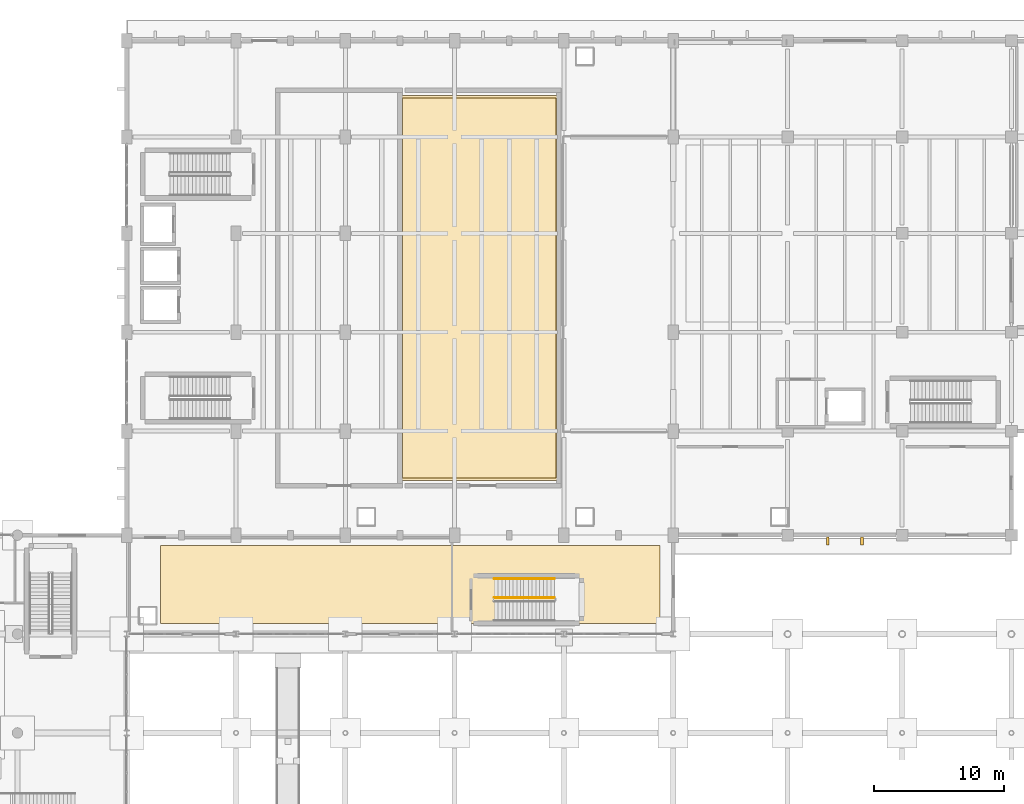
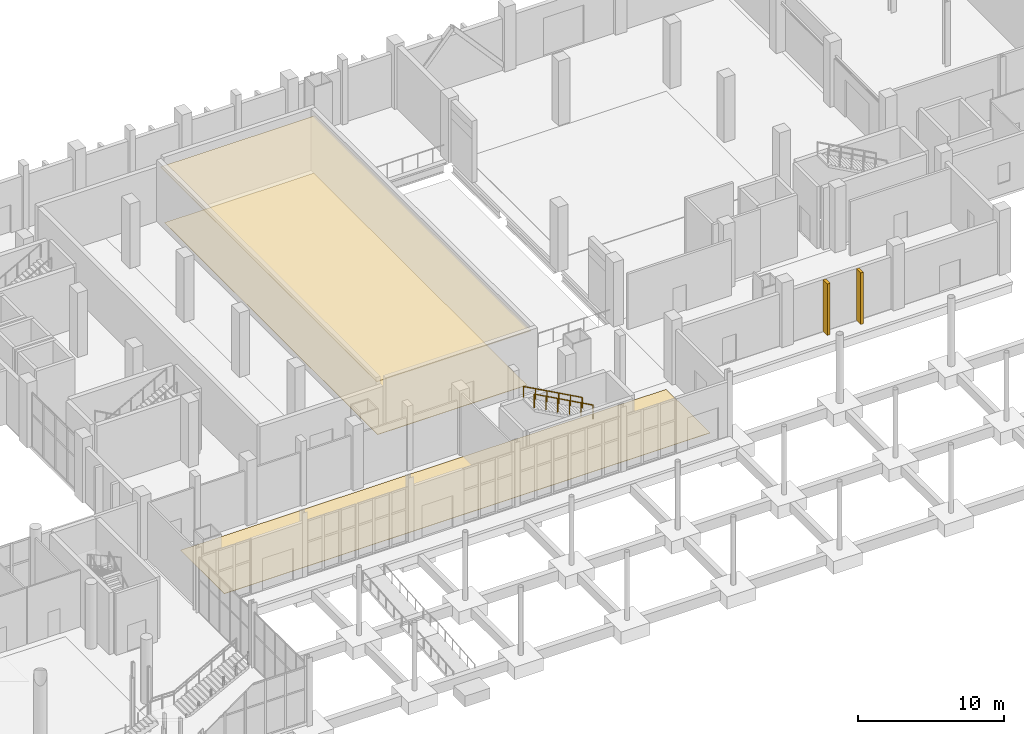
# One storey, part 89 of 95: 3 coverings, 2 railings, 2 shading devices.
"""IFC4 building model written with IfcOpenShell, lengths in metres."""

from ifc_helpers import new_model, si_unit, direction, frame, origin, origin_2d, place, context, subcontext, project, spatial, polyline, rectangle, circle, outline, extrude, material, layer, layer_set, type_object, element, save


model = new_model("IFC4")

# Units and contexts
model_context = context("Model", 3, precision=1e-05, world=origin(), true_north=direction((0.0, 1.0)))
body_context = subcontext(model_context, "Body", "Model", "MODEL_VIEW")
ifc_project = project(units=[si_unit("LENGTHUNIT", "METRE"), si_unit("AREAUNIT", "SQUARE_METRE"), si_unit("VOLUMEUNIT", "CUBIC_METRE"), si_unit("PLANEANGLEUNIT", "RADIAN"), si_unit("MASSUNIT", "GRAM", prefix="KILO")], contexts=[model_context])

# Site, building, storey
site_placement = place(None, origin())
site = spatial("IfcSite", under=ifc_project, at=site_placement, CompositionType="ELEMENT")
building_placement = place(site_placement, origin())
building = spatial("IfcBuilding", under=site, at=building_placement, Name="Shengluoqiao Park Theatre", CompositionType="ELEMENT")
storey_placement = place(building_placement, origin())
storey = spatial("IfcBuildingStorey", under=building, at=storey_placement, Name="L00", CompositionType="ELEMENT", Elevation=0.0)

# Shading devices
ifc_material_1 = material(Name="Concrete C45", Category="concrete")
ifc_layer_1 = layer(ifc_material_1, 0.219970703125, Name="Concrete C45")
ifc_layer_set_1 = layer_set([ifc_layer_1], Name="Concrete C45")
shading_device_type = type_object("IfcShadingDeviceType", Name="ENV-FIN-600x220", PredefinedType="USERDEFINED", material=ifc_layer_set_1)
for number, where, z_axis, x_axis, name in (
    (1, (98.28466796875, 75.56005859375, 0.02001953125), (0.0, 0.0, 1.0), (0.0, -1.0, 0.0), "L00 Vertical Concrete Acoustic Rib 0064"),
    (2, (100.915283203125, 75.56005859375, 0.02001953125), (0.0, 0.0, 1.0), (0.0, -1.0, 0.0), "L00 Vertical Concrete Acoustic Rib 0065"),
):
    element("IfcShadingDevice", number, at=place(storey_placement, frame(where, z_axis=z_axis, x_axis=x_axis)), inside=storey, type_object=shading_device_type, Name=name, ObjectType="FIN", PredefinedType="USERDEFINED", context=body_context, shape_type="SweptSolid", body=[
        extrude(rectangle(XDim=0.60009765625, YDim=0.219970703125, at=origin_2d()), origin(), (0.0, 0.0, 1.0), 4.298095703125),
    ])

# Coverings
ifc_material_2 = material(Name="Gypsum acoustic reflector", Category="gypsum")
ifc_layer_2 = layer(ifc_material_2, 0.054931640625, Name="Gypsum acoustic reflector")
ifc_layer_set_2 = layer_set([ifc_layer_2], Name="Gypsum acoustic reflector")
covering_type_1 = type_object("IfcCoveringType", Name="INT-COV-CLG1", PredefinedType="CEILING", material=ifc_layer_set_2)
covering_1_placement = place(storey_placement, frame((0.0, 0.0, 4.594970703125)))
element("IfcCovering", 3, at=covering_1_placement, inside=storey, type_object=covering_type_1, Name="Main Theatre Stalls Acoustic Reflector Canopy", PredefinedType="CEILING", context=body_context, shape_type="SweptSolid", body=[
    extrude(outline(polyline([(65.39990234375, 80.199951171875), (77.60009765625, 80.199951171875), (77.60009765625, 109.800048828125), (65.39990234375, 109.800048828125), (65.39990234375, 80.199951171875)])), origin(), (0.0, 0.0, 1.0), 0.054931640625),
])
ifc_material_3 = material(Name="Engineered oak acoustic parquet", Category="wood")
ifc_layer_3 = layer(ifc_material_3, 0.034912109375, Name="Engineered oak acoustic parquet")
ifc_layer_set_3 = layer_set([ifc_layer_3], Name="Engineered oak acoustic parquet")
covering_type_2 = type_object("IfcCoveringType", Name="INT-COV-FLR2", PredefinedType="FLOORING", material=ifc_layer_set_3)
covering_2_placement = place(storey_placement, origin())
element("IfcCovering", 4, at=covering_2_placement, inside=storey, type_object=covering_type_2, Name="Main Theatre Front Stalls Oak Parquet", PredefinedType="FLOORING", context=body_context, shape_type="SweptSolid", body=[
    extrude(outline(polyline([(65.60009765625, 80.39990234375), (77.39990234375, 80.39990234375), (77.39990234375, 109.60009765625), (65.60009765625, 109.60009765625), (65.60009765625, 80.39990234375)])), origin(), (0.0, 0.0, 1.0), 0.034912109375),
])
ifc_material_4 = material(Name="Honed terrazzo stone", Category="masonry")
ifc_layer_4 = layer(ifc_material_4, 0.030029296875, Name="Honed terrazzo stone")
ifc_layer_set_4 = layer_set([ifc_layer_4], Name="Honed terrazzo stone")
covering_type_3 = type_object("IfcCoveringType", Name="INT-COV-FLR3", PredefinedType="FLOORING", material=ifc_layer_set_4)
covering_3_placement = place(storey_placement, origin())
element("IfcCovering", 5, at=covering_3_placement, inside=storey, type_object=covering_type_3, Name="South Promenade Terrazzo Flooring", PredefinedType="FLOORING", context=body_context, shape_type="SweptSolid", body=[
    extrude(outline(polyline([(47.0, 69.199951171875), (85.39990234375, 69.199951171875), (85.39990234375, 75.199951171875), (47.0, 75.199951171875), (47.0, 69.199951171875)])), origin(), (0.0, 0.0, 1.0), 0.030029296875),
])

# Railings
ifc_material_5 = material(Name="Painted steel", Category="steel")
railing_type_1 = type_object("IfcRailingType", Name="INT-RL-STGRD", PredefinedType="GUARDRAIL", material=ifc_material_5)
railing_1_placement = place(storey_placement, frame((77.2900390625, 71.18994140625, 2.85888671875)))
element("IfcRailing", 6, at=railing_1_placement, inside=storey, type_object=railing_type_1, Name="L00 ST-11 stair guard 3", PredefinedType="GUARDRAIL", context=body_context, shape_type="SweptSolid", body=[
    extrude(circle(Radius=0.02392578125, at=origin_2d()), frame((0.0, 0.0, 1.1259765625), z_axis=(-0.877097193626, 0.0, 0.480312932298), x_axis=(0.0, -1.0, 0.0)), (0.0, 0.0, 1.0), 5.290283203125),
    extrude(circle(Radius=0.02099609375, at=origin_2d()), origin(), (0.0, 0.0, 1.0), 1.101806640625),
    extrude(circle(Radius=0.02099609375, at=origin_2d()), frame((-0.927978515625, 0.0, 0.50830078125)), (0.0, 0.0, 1.0), 1.101806640625),
    extrude(circle(Radius=0.02099609375, at=origin_2d()), frame((-1.85595703125, 0.0, 1.016357421875)), (0.0, 0.0, 1.0), 1.101806640625),
    extrude(circle(Radius=0.02099609375, at=origin_2d()), frame((-2.7841796875, 0.0, 1.524658203125)), (0.0, 0.0, 1.0), 1.101806640625),
    extrude(circle(Radius=0.02099609375, at=origin_2d()), frame((-3.712158203125, 0.0, 2.03271484375)), (0.0, 0.0, 1.0), 1.101806640625),
    extrude(circle(Radius=0.02099609375, at=origin_2d()), frame((-4.64013671875, 0.0, 2.541015625)), (0.0, 0.0, 1.0), 1.101806640625),
])
ifc_material_6 = material(Name="Stainless steel 304", Category="steel")
railing_type_2 = type_object("IfcRailingType", Name="INT-RL-STHR", PredefinedType="HANDRAIL", material=ifc_material_6)
railing_2_placement = place(storey_placement, frame((77.2900390625, 72.64990234375, 2.85888671875)))
element("IfcRailing", 7, at=railing_2_placement, inside=storey, type_object=railing_type_2, Name="L00 ST-11 stair handrail 2", PredefinedType="HANDRAIL", context=body_context, shape_type="SweptSolid", body=[
    extrude(circle(Radius=0.02392578125, at=origin_2d()), frame((0.0, 0.0, 0.8759765625), z_axis=(-0.877097193626, 0.0, 0.480312932298), x_axis=(0.0, -1.0, 0.0)), (0.0, 0.0, 1.0), 5.290283203125),
    extrude(circle(Radius=0.02099609375, at=origin_2d()), origin(), (0.0, 0.0, 1.0), 0.851806640625),
    extrude(circle(Radius=0.02099609375, at=origin_2d()), frame((-0.927978515625, 0.0, 0.50830078125)), (0.0, 0.0, 1.0), 0.851806640625),
    extrude(circle(Radius=0.02099609375, at=origin_2d()), frame((-1.85595703125, 0.0, 1.016357421875)), (0.0, 0.0, 1.0), 0.851806640625),
    extrude(circle(Radius=0.02099609375, at=origin_2d()), frame((-2.7841796875, 0.0, 1.524658203125)), (0.0, 0.0, 1.0), 0.851806640625),
    extrude(circle(Radius=0.02099609375, at=origin_2d()), frame((-3.712158203125, 0.0, 2.03271484375)), (0.0, 0.0, 1.0), 0.851806640625),
    extrude(circle(Radius=0.02099609375, at=origin_2d()), frame((-4.64013671875, 0.0, 2.541015625)), (0.0, 0.0, 1.0), 0.851806640625),
])

save(model, "model.ifc")
